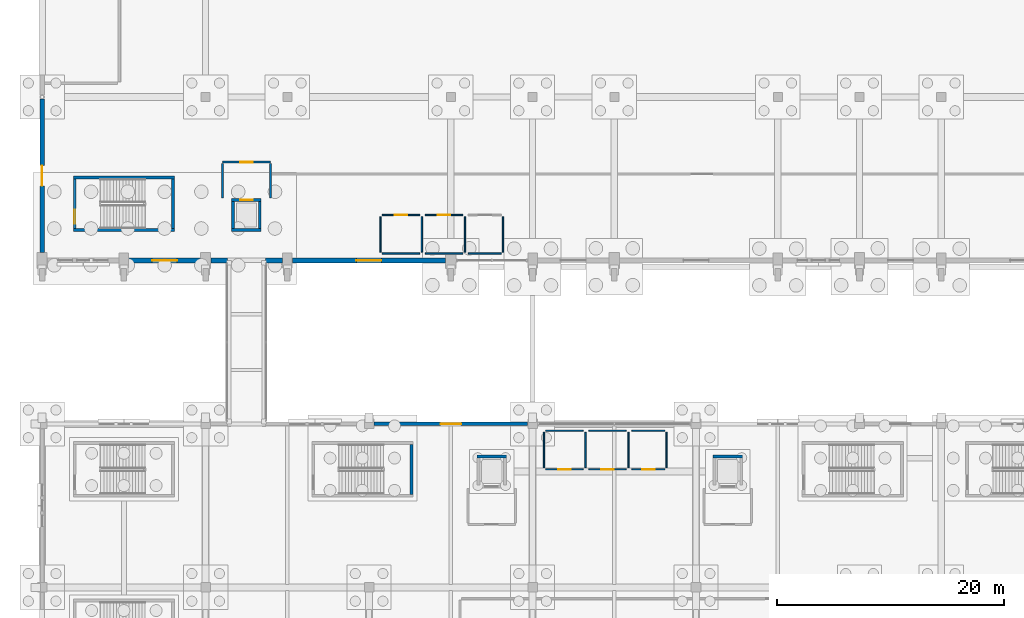
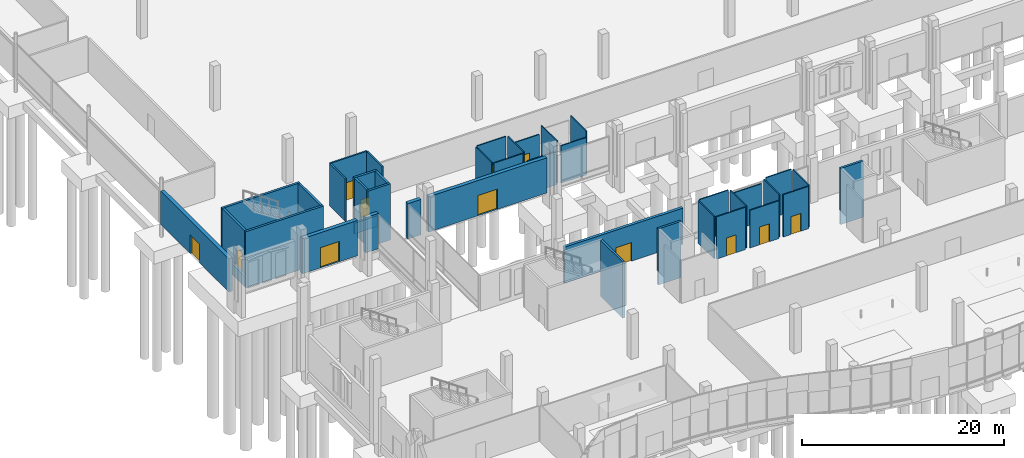
# One storey, part 132 of 192: 41 walls, 12 doors, 12 openings.
"""IFC4 building model written with IfcOpenShell, lengths in metres."""

from ifc_helpers import new_model, si_unit, direction, frame, frame_2d, origin, place, context, subcontext, project, spatial, rectangle, extrude, material, layer, layer_set, type_object, element, fill, save


model = new_model("IFC4")

# Units and contexts
model_context = context("Model", 3, precision=1e-05, world=origin(), true_north=direction((0.0, 1.0)))
body_context = subcontext(model_context, "Body", "Model", "MODEL_VIEW")
ifc_project = project(units=[si_unit("LENGTHUNIT", "METRE"), si_unit("AREAUNIT", "SQUARE_METRE"), si_unit("VOLUMEUNIT", "CUBIC_METRE"), si_unit("PLANEANGLEUNIT", "RADIAN"), si_unit("MASSUNIT", "GRAM", prefix="KILO")], contexts=[model_context])

# Site, building, storey
site_placement = place(None, origin())
site = spatial("IfcSite", under=ifc_project, at=site_placement, CompositionType="ELEMENT")
building_placement = place(site_placement, origin())
building = spatial("IfcBuilding", under=site, at=building_placement, Name="Cendralis Lancet Convention Centre", CompositionType="ELEMENT")
storey_placement = place(building_placement, origin())
storey = spatial("IfcBuildingStorey", under=building, at=storey_placement, Name="L00", CompositionType="ELEMENT", Elevation=0.0)

# Wall, opening, door
ifc_material_1 = material(Name="Buff sandstone ashlar and Concrete G40 (C40/50)", Category="masonry")
ifc_layer_1 = layer(ifc_material_1, 0.320068359375, Name="Buff sandstone ashlar and Concrete G40 (C40/50)")
ifc_layer_set_1 = layer_set([ifc_layer_1], Name="Buff sandstone ashlar and Concrete G40 (C40/50)")
wall_type_1 = type_object("IfcWallType", Name="ARC-EW-W320", PredefinedType="STANDARD", material=ifc_layer_set_1)
wall_1_placement = place(storey_placement, frame((29.23291015625, 36.0, 0.0), z_axis=(0.0, 0.0, 1.0), x_axis=(1.0, 0.0, 0.0)))
wall_1 = element("IfcWall", 1, at=wall_1_placement, inside=storey, type_object=wall_type_1, Name="L00 V4 Exterior Wall EW-06 #0180", PredefinedType="STANDARD", context=body_context, shape_type="SweptSolid", body=[
    extrude(rectangle(XDim=13.5341796875, YDim=0.320068359375, at=frame_2d((6.76708984375, 0.0))), origin(), (0.0, 0.0, 1.0), 4.35498046875),
])
opening_1_placement = place(wall_1_placement, frame((5.866943359375, 0.0, 0.0)))
opening_1 = element("IfcOpeningElement", 2, at=opening_1_placement, cuts=wall_1, Name="Opening EX-D1", PredefinedType="OPENING", context=body_context, shape_type="SweptSolid", body=[
    extrude(rectangle(XDim=1.800048828125, YDim=2.25, at=frame_2d((0.89990234375, 1.125))), frame((0.0, 0.169921875, 0.0), z_axis=(0.0, -1.0, 0.0), x_axis=(1.0, 0.0, 0.0)), (0.0, 0.0, 1.0), 0.340087890625),
])
ifc_material_2 = material(Name="Anodised bronze architectural aluminium", Category="aluminium")
door_type_1 = type_object("IfcDoorType", Name="ARC-DR-EX18", OperationType="NOTDEFINED", PredefinedType="DOOR", material=ifc_material_2)
door_1_placement = place(opening_1_placement, origin())
door_1 = element("IfcDoor", 3, at=door_1_placement, inside=storey, type_object=door_type_1, Name="L00-D043 Pedestrian Final Exit Door EX-45 #045", OperationType="DOUBLE_DOOR_SINGLE_SWING", OverallHeight=2.25, OverallWidth=1.800048828125, PredefinedType="DOOR", context=body_context, shape_type="SweptSolid", body=[
    extrude(rectangle(XDim=1.800048828125, YDim=2.25, at=frame_2d((0.89990234375, 1.125))), frame((0.0, 0.02490234375, 0.0), z_axis=(0.0, -1.0, 0.0), x_axis=(1.0, 0.0, 0.0)), (0.0, 0.0, 1.0), 0.050048828125),
])
fill(opening_1, door_1)

ifc_layer_2 = layer(ifc_material_1, 0.419921875, Name="Buff sandstone ashlar and Concrete G40 (C40/50)")
ifc_layer_set_2 = layer_set([ifc_layer_2], Name="Buff sandstone ashlar and Concrete G40 (C40/50)")
wall_type_2 = type_object("IfcWallType", Name="ARC-EW-W420", PredefinedType="STANDARD", material=ifc_layer_set_2)
wall_2_placement = place(storey_placement, frame((13.94189453125, 50.39990234375, 0.0), z_axis=(0.0, 0.0, 1.0), x_axis=(-1.0, 0.0, 0.0)))
wall_2 = element("IfcWall", 4, at=wall_2_placement, inside=storey, type_object=wall_type_2, Name="L00 V1 Exterior Wall EW-01 #0016", PredefinedType="STANDARD", context=body_context, shape_type="SweptSolid", body=[
    extrude(rectangle(XDim=6.308837890625, YDim=0.419921875, at=frame_2d((3.154296875, 0.0))), origin(), (0.0, 0.0, 1.0), 4.2548828125),
])
opening_2_placement = place(wall_2_placement, frame((2.054443359375, 0.0, 0.0)))
opening_2 = element("IfcOpeningElement", 5, at=opening_2_placement, cuts=wall_2, Name="Opening EX-D4", PredefinedType="OPENING", context=body_context, shape_type="SweptSolid", body=[
    extrude(rectangle(XDim=2.199951171875, YDim=2.449951171875, at=frame_2d((1.10009765625, 1.22509765625))), frame((0.0, 0.219970703125, 0.0), z_axis=(0.0, -1.0, 0.0), x_axis=(1.0, 0.0, 0.0)), (0.0, 0.0, 1.0), 0.43994140625),
])
door_type_2 = type_object("IfcDoorType", Name="ARC-DR-EX22", OperationType="NOTDEFINED", PredefinedType="DOOR", material=ifc_material_2)
door_2_placement = place(opening_2_placement, origin())
door_2 = element("IfcDoor", 6, at=door_2_placement, inside=storey, type_object=door_type_2, Name="L00-D014 Pedestrian Final Exit Door EX-14 #014", OperationType="DOUBLE_DOOR_SINGLE_SWING", OverallHeight=2.449951171875, OverallWidth=2.199951171875, PredefinedType="DOOR", context=body_context, shape_type="SweptSolid", body=[
    extrude(rectangle(XDim=2.199951171875, YDim=2.449951171875, at=frame_2d((1.10009765625, 1.22509765625))), frame((0.0, 0.02490234375, 0.0), z_axis=(0.0, -1.0, 0.0), x_axis=(1.0, 0.0, 0.0)), (0.0, 0.0, 1.0), 0.050048828125),
])
fill(opening_2, door_2)

# Walls
wall_3_placement = place(storey_placement, frame((21.1669921875, 50.39990234375, 0.0), z_axis=(0.0, 0.0, 1.0), x_axis=(-1.0, 0.0, 0.0)))
element("IfcWall", 7, at=wall_3_placement, inside=storey, type_object=wall_type_2, Name="L00 V1 Exterior Wall EW-01 #0017", PredefinedType="STANDARD", context=body_context, shape_type="SweptSolid", body=[
    extrude(rectangle(XDim=1.487060546875, YDim=0.419921875, at=frame_2d((0.74365234375, 0.0))), origin(), (0.0, 0.0, 1.0), 4.2548828125),
])
wall_4_placement = place(storey_placement, frame((16.320068359375, 50.39990234375, 0.0), z_axis=(0.0, 0.0, 1.0), x_axis=(-1.0, 0.0, 0.0)))
element("IfcWall", 8, at=wall_4_placement, inside=storey, type_object=wall_type_2, Name="L00 V1 Exterior Wall EW-01 #0018", PredefinedType="STANDARD", context=body_context, shape_type="SweptSolid", body=[
    extrude(rectangle(XDim=1.462158203125, YDim=0.419921875, at=frame_2d((0.73095703125, 0.0))), origin(), (0.0, 0.0, 1.0), 4.2548828125),
])

# Wall, opening, door
wall_5_placement = place(storey_placement, frame((35.5419921875, 50.39990234375, 0.0), z_axis=(0.0, 0.0, 1.0), x_axis=(-1.0, 0.0, 0.0)))
wall_5 = element("IfcWall", 9, at=wall_5_placement, inside=storey, type_object=wall_type_2, Name="L00 V1 Exterior Wall EW-01 #0019", PredefinedType="STANDARD", context=body_context, shape_type="SweptSolid", body=[
    extrude(rectangle(XDim=13.509033203125, YDim=0.419921875, at=frame_2d((6.75439453125, 0.0))), origin(), (0.0, 0.0, 1.0), 4.2548828125),
])
opening_3_placement = place(wall_5_placement, frame((5.654541015625, 0.0, 0.0)))
opening_3 = element("IfcOpeningElement", 10, at=opening_3_placement, cuts=wall_5, Name="Opening EX-D4", PredefinedType="OPENING", context=body_context, shape_type="SweptSolid", body=[
    extrude(rectangle(XDim=2.199951171875, YDim=2.449951171875, at=frame_2d((1.10009765625, 1.22509765625))), frame((0.0, 0.219970703125, 0.0), z_axis=(0.0, -1.0, 0.0), x_axis=(1.0, 0.0, 0.0)), (0.0, 0.0, 1.0), 0.43994140625),
])
door_3_placement = place(opening_3_placement, origin())
door_3 = element("IfcDoor", 11, at=door_3_placement, inside=storey, type_object=door_type_2, Name="L00-D015 Pedestrian Final Exit Door EX-15 #015", OperationType="DOUBLE_DOOR_SINGLE_SWING", OverallHeight=2.449951171875, OverallWidth=2.199951171875, PredefinedType="DOOR", context=body_context, shape_type="SweptSolid", body=[
    extrude(rectangle(XDim=2.199951171875, YDim=2.449951171875, at=frame_2d((1.10009765625, 1.22509765625))), frame((0.0, 0.02490234375, 0.0), z_axis=(0.0, -1.0, 0.0), x_axis=(1.0, 0.0, 0.0)), (0.0, 0.0, 1.0), 0.050048828125),
])
fill(opening_3, door_3)

wall_6_placement = place(storey_placement, frame((0.0, 51.10791015625, 0.0), z_axis=(0.0, 0.0, 1.0), x_axis=(0.0, 1.0, 0.0)))
wall_6 = element("IfcWall", 12, at=wall_6_placement, inside=storey, type_object=wall_type_2, Name="L00 V1 Exterior Wall EW-01 #0028", PredefinedType="STANDARD", context=body_context, shape_type="SweptSolid", body=[
    extrude(rectangle(XDim=13.50634765625, YDim=0.419921875, at=frame_2d((6.753173828125, 0.0))), origin(), (0.0, 0.0, 1.0), 4.0048828125),
])
opening_4_placement = place(wall_6_placement, frame((5.85302734375, 0.0, 0.0)))
opening_4 = element("IfcOpeningElement", 13, at=opening_4_placement, cuts=wall_6, Name="Opening EX-D1", PredefinedType="OPENING", context=body_context, shape_type="SweptSolid", body=[
    extrude(rectangle(XDim=1.800048828125, YDim=2.25, at=frame_2d((0.89990234375, 1.125))), frame((0.0, 0.219970703125, 0.0), z_axis=(0.0, -1.0, 0.0), x_axis=(1.0, 0.0, 0.0)), (0.0, 0.0, 1.0), 0.43994140625),
])
door_4_placement = place(opening_4_placement, origin())
door_4 = element("IfcDoor", 14, at=door_4_placement, inside=storey, type_object=door_type_1, Name="L00-D022 Pedestrian Final Exit Door EX-22 #022", OperationType="DOUBLE_DOOR_SINGLE_SWING", OverallHeight=2.25, OverallWidth=1.800048828125, PredefinedType="DOOR", context=body_context, shape_type="SweptSolid", body=[
    extrude(rectangle(XDim=1.800048828125, YDim=2.25, at=frame_2d((0.89990234375, 1.125))), frame((0.0, 0.02490234375, 0.0), z_axis=(0.0, -1.0, 0.0), x_axis=(1.0, 0.0, 0.0)), (0.0, 0.0, 1.0), 0.050048828125),
])
fill(opening_4, door_4)

ifc_material_3 = material(Name="Acoustic fire-rated gypsum board on steel studs", Category="steel")
ifc_layer_3 = layer(ifc_material_3, 0.1201171875, Name="Acoustic fire-rated gypsum board on steel studs")
ifc_layer_set_3 = layer_set([ifc_layer_3], Name="Acoustic fire-rated gypsum board on steel studs")
wall_type_3 = type_object("IfcWallType", Name="ARC-IW-P120", PredefinedType="PARTITIONING", material=ifc_layer_set_3)
wall_7_placement = place(storey_placement, frame((29.949951171875, 54.39990234375, 0.0), z_axis=(0.0, 0.0, 1.0), x_axis=(1.0, 0.0, 0.0)))
wall_7 = element("IfcWall", 15, at=wall_7_placement, inside=storey, type_object=wall_type_3, Name="L00 Interior Partition IW-05 #0016", PredefinedType="PARTITIONING", context=body_context, shape_type="SweptSolid", body=[
    extrude(rectangle(XDim=3.300048828125, YDim=0.1201171875, at=frame_2d((1.64990234375, 0.0))), origin(), (0.0, 0.0, 1.0), 5.10498046875),
])
opening_5_placement = place(wall_7_placement, frame((1.10009765625, 0.0, 0.0)))
opening_5 = element("IfcOpeningElement", 16, at=opening_5_placement, cuts=wall_7, Name="Opening FD-11", PredefinedType="OPENING", context=body_context, shape_type="SweptSolid", body=[
    extrude(rectangle(XDim=1.10009765625, YDim=2.14990234375, at=frame_2d((0.550048828125, 1.074951171875))), frame((0.0, 0.070068359375, 0.0), z_axis=(0.0, -1.0, 0.0), x_axis=(1.0, 0.0, 0.0)), (0.0, 0.0, 1.0), 0.14013671875),
])
ifc_material_4 = material(Name="Steel S355", Category="steel")
door_type_3 = type_object("IfcDoorType", Name="ARC-DR-FF11", OperationType="NOTDEFINED", PredefinedType="DOOR", material=ifc_material_4)
door_5_placement = place(opening_5_placement, frame((1.10009765625, 0.0, 0.0), z_axis=(0.0, 0.0, 1.0), x_axis=(-1.0, 0.0, 0.0)))
door_5 = element("IfcDoor", 17, at=door_5_placement, inside=storey, type_object=door_type_3, Name="L00-D055 L00 Interior Door FD-11 #0005", OperationType="SINGLE_SWING_LEFT", OverallHeight=2.14990234375, OverallWidth=1.10009765625, PredefinedType="DOOR", context=body_context, shape_type="SweptSolid", body=[
    extrude(rectangle(XDim=1.10009765625, YDim=2.14990234375, at=frame_2d((0.550048828125, 1.074951171875))), frame((0.0, 0.02490234375, 0.0), z_axis=(0.0, -1.0, 0.0), x_axis=(1.0, 0.0, 0.0)), (0.0, 0.0, 1.0), 0.050048828125),
])
fill(opening_5, door_5)

# Walls
wall_8_placement = place(storey_placement, frame((29.949951171875, 51.0, 0.0), z_axis=(0.0, 0.0, 1.0), x_axis=(1.0, 0.0, 0.0)))
element("IfcWall", 18, at=wall_8_placement, inside=storey, type_object=wall_type_3, Name="L00 Interior Partition IW-05 #0017", PredefinedType="PARTITIONING", context=body_context, shape_type="SweptSolid", body=[
    extrude(rectangle(XDim=3.300048828125, YDim=0.1201171875, at=frame_2d((1.64990234375, 0.0))), origin(), (0.0, 0.0, 1.0), 5.10498046875),
])
for number, where, z_axis, x_axis, name in (
    (19, (29.800048828125, 51.139892578125, 0.0), (0.0, 0.0, 1.0), (0.0, 1.0, 0.0), "L00 Interior Partition IW-05 #0018"),
    (20, (33.449951171875, 51.139892578125, 0.0), (0.0, 0.0, 1.0), (0.0, 1.0, 0.0), "L00 Interior Partition IW-05 #0019"),
):
    element("IfcWall", number, at=place(storey_placement, frame(where, z_axis=z_axis, x_axis=x_axis)), inside=storey, type_object=wall_type_3, Name=name, PredefinedType="PARTITIONING", context=body_context, shape_type="SweptSolid", body=[
        extrude(rectangle(XDim=3.1201171875, YDim=0.1201171875, at=frame_2d((1.56005859375, 0.0))), origin(), (0.0, 0.0, 1.0), 5.10498046875),
    ])

# Wall, opening, door
wall_9_placement = place(storey_placement, frame((33.75, 54.39990234375, 0.0), z_axis=(0.0, 0.0, 1.0), x_axis=(1.0, 0.0, 0.0)))
wall_9 = element("IfcWall", 21, at=wall_9_placement, inside=storey, type_object=wall_type_3, Name="L00 Interior Partition IW-05 #0020", PredefinedType="PARTITIONING", context=body_context, shape_type="SweptSolid", body=[
    extrude(rectangle(XDim=3.300048828125, YDim=0.1201171875, at=frame_2d((1.64990234375, 0.0))), origin(), (0.0, 0.0, 1.0), 4.0048828125),
])
opening_6_placement = place(wall_9_placement, frame((1.10009765625, 0.0, 0.0)))
opening_6 = element("IfcOpeningElement", 22, at=opening_6_placement, cuts=wall_9, Name="Opening FD-11", PredefinedType="OPENING", context=body_context, shape_type="SweptSolid", body=[
    extrude(rectangle(XDim=1.10009765625, YDim=2.14990234375, at=frame_2d((0.550048828125, 1.074951171875))), frame((0.0, 0.070068359375, 0.0), z_axis=(0.0, -1.0, 0.0), x_axis=(1.0, 0.0, 0.0)), (0.0, 0.0, 1.0), 0.14013671875),
])
door_6_placement = place(opening_6_placement, origin())
door_6 = element("IfcDoor", 23, at=door_6_placement, inside=storey, type_object=door_type_3, Name="L00-D056 L00 Interior Door FD-11 #0006", OperationType="SINGLE_SWING_RIGHT", OverallHeight=2.14990234375, OverallWidth=1.10009765625, PredefinedType="DOOR", context=body_context, shape_type="SweptSolid", body=[
    extrude(rectangle(XDim=1.10009765625, YDim=2.14990234375, at=frame_2d((0.550048828125, 1.074951171875))), frame((0.0, 0.02490234375, 0.0), z_axis=(0.0, -1.0, 0.0), x_axis=(1.0, 0.0, 0.0)), (0.0, 0.0, 1.0), 0.050048828125),
])
fill(opening_6, door_6)

# Walls
wall_10_placement = place(storey_placement, frame((33.75, 51.0, 0.0), z_axis=(0.0, 0.0, 1.0), x_axis=(1.0, 0.0, 0.0)))
element("IfcWall", 24, at=wall_10_placement, inside=storey, type_object=wall_type_3, Name="L00 Interior Partition IW-05 #0021", PredefinedType="PARTITIONING", context=body_context, shape_type="SweptSolid", body=[
    extrude(rectangle(XDim=3.300048828125, YDim=0.1201171875, at=frame_2d((1.64990234375, 0.0))), origin(), (0.0, 0.0, 1.0), 4.0048828125),
])
wall_11_placement = place(storey_placement, frame((37.25, 51.139892578125, 0.0), z_axis=(0.0, 0.0, 1.0), x_axis=(0.0, 1.0, 0.0)))
element("IfcWall", 25, at=wall_11_placement, inside=storey, type_object=wall_type_3, Name="L00 Interior Partition IW-05 #0022", PredefinedType="PARTITIONING", context=body_context, shape_type="SweptSolid", body=[
    extrude(rectangle(XDim=3.1201171875, YDim=0.1201171875, at=frame_2d((1.56005859375, 0.0))), origin(), (0.0, 0.0, 1.0), 5.10498046875),
])
wall_12_placement = place(storey_placement, frame((37.550048828125, 51.0, 0.0), z_axis=(0.0, 0.0, 1.0), x_axis=(1.0, 0.0, 0.0)))
element("IfcWall", 26, at=wall_12_placement, inside=storey, type_object=wall_type_3, Name="L00 Interior Partition IW-05 #0024", PredefinedType="PARTITIONING", context=body_context, shape_type="SweptSolid", body=[
    extrude(rectangle(XDim=2.89990234375, YDim=0.1201171875, at=frame_2d((1.449951171875, 0.0))), origin(), (0.0, 0.0, 1.0), 4.5048828125),
])
wall_13_placement = place(storey_placement, frame((40.60009765625, 51.139892578125, 0.0), z_axis=(0.0, 0.0, 1.0), x_axis=(0.0, 1.0, 0.0)))
element("IfcWall", 27, at=wall_13_placement, inside=storey, type_object=wall_type_3, Name="L00 Interior Partition IW-05 #0025", PredefinedType="PARTITIONING", context=body_context, shape_type="SweptSolid", body=[
    extrude(rectangle(XDim=3.1201171875, YDim=0.1201171875, at=frame_2d((1.56005859375, 0.0))), origin(), (0.0, 0.0, 1.0), 5.10498046875),
])

# Wall, opening, door
wall_14_placement = place(storey_placement, frame((44.35009765625, 32.0, 0.0), z_axis=(0.0, 0.0, 1.0), x_axis=(1.0, 0.0, 0.0)))
wall_14 = element("IfcWall", 28, at=wall_14_placement, inside=storey, type_object=wall_type_3, Name="L00 Interior Partition IW-05 #0217", PredefinedType="PARTITIONING", context=body_context, shape_type="SweptSolid", body=[
    extrude(rectangle(XDim=3.2998046875, YDim=0.1201171875, at=frame_2d((1.64990234375, 0.0))), origin(), (0.0, 0.0, 1.0), 5.10498046875),
])
opening_7_placement = place(wall_14_placement, frame((1.10009765625, 0.0, 0.0)))
opening_7 = element("IfcOpeningElement", 29, at=opening_7_placement, cuts=wall_14, Name="Opening FD-11", PredefinedType="OPENING", context=body_context, shape_type="SweptSolid", body=[
    extrude(rectangle(XDim=1.10009765625, YDim=2.14990234375, at=frame_2d((0.550048828125, 1.074951171875))), frame((0.0, 0.070068359375, 0.0), z_axis=(0.0, -1.0, 0.0), x_axis=(1.0, 0.0, 0.0)), (0.0, 0.0, 1.0), 0.14013671875),
])
door_7_placement = place(opening_7_placement, origin())
door_7 = element("IfcDoor", 30, at=door_7_placement, inside=storey, type_object=door_type_3, Name="L00-D079 L00 Interior Door FD-11 #0072", OperationType="SINGLE_SWING_LEFT", OverallHeight=2.14990234375, OverallWidth=1.10009765625, PredefinedType="DOOR", context=body_context, shape_type="SweptSolid", body=[
    extrude(rectangle(XDim=1.10009765625, YDim=2.14990234375, at=frame_2d((0.550048828125, 1.074951171875))), frame((0.0, 0.02490234375, 0.0), z_axis=(0.0, -1.0, 0.0), x_axis=(1.0, 0.0, 0.0)), (0.0, 0.0, 1.0), 0.050048828125),
])
fill(opening_7, door_7)

# Walls
wall_15_placement = place(storey_placement, frame((44.35009765625, 35.39990234375, 0.0), z_axis=(0.0, 0.0, 1.0), x_axis=(1.0, 0.0, 0.0)))
element("IfcWall", 31, at=wall_15_placement, inside=storey, type_object=wall_type_3, Name="L00 Interior Partition IW-05 #0218", PredefinedType="PARTITIONING", context=body_context, shape_type="SweptSolid", body=[
    extrude(rectangle(XDim=3.2998046875, YDim=0.1201171875, at=frame_2d((1.64990234375, 0.0))), origin(), (0.0, 0.0, 1.0), 5.10498046875),
])
for number, where, z_axis, x_axis, name in (
    (32, (44.199951171875, 32.139892578125, 0.0), (0.0, 0.0, 1.0), (0.0, 1.0, 0.0), "L00 Interior Partition IW-05 #0219"),
    (33, (47.85009765625, 32.139892578125, 0.0), (0.0, 0.0, 1.0), (0.0, 1.0, 0.0), "L00 Interior Partition IW-05 #0220"),
):
    element("IfcWall", number, at=place(storey_placement, frame(where, z_axis=z_axis, x_axis=x_axis)), inside=storey, type_object=wall_type_3, Name=name, PredefinedType="PARTITIONING", context=body_context, shape_type="SweptSolid", body=[
        extrude(rectangle(XDim=3.1201171875, YDim=0.1201171875, at=frame_2d((1.56005859375, 0.0))), origin(), (0.0, 0.0, 1.0), 5.10498046875),
    ])

# Wall, opening, door
wall_16_placement = place(storey_placement, frame((48.14990234375, 32.0, 0.0), z_axis=(0.0, 0.0, 1.0), x_axis=(1.0, 0.0, 0.0)))
wall_16 = element("IfcWall", 34, at=wall_16_placement, inside=storey, type_object=wall_type_3, Name="L00 Interior Partition IW-05 #0221", PredefinedType="PARTITIONING", context=body_context, shape_type="SweptSolid", body=[
    extrude(rectangle(XDim=3.300048828125, YDim=0.1201171875, at=frame_2d((1.64990234375, 0.0))), origin(), (0.0, 0.0, 1.0), 4.554931640625),
])
opening_8_placement = place(wall_16_placement, frame((1.10009765625, 0.0, 0.0)))
opening_8 = element("IfcOpeningElement", 35, at=opening_8_placement, cuts=wall_16, Name="Opening FD-11", PredefinedType="OPENING", context=body_context, shape_type="SweptSolid", body=[
    extrude(rectangle(XDim=1.10009765625, YDim=2.14990234375, at=frame_2d((0.550048828125, 1.074951171875))), frame((0.0, 0.070068359375, 0.0), z_axis=(0.0, -1.0, 0.0), x_axis=(1.0, 0.0, 0.0)), (0.0, 0.0, 1.0), 0.14013671875),
])
door_8_placement = place(opening_8_placement, frame((1.10009765625, 0.0, 0.0), z_axis=(0.0, 0.0, 1.0), x_axis=(-1.0, 0.0, 0.0)))
door_8 = element("IfcDoor", 36, at=door_8_placement, inside=storey, type_object=door_type_3, Name="L00-D080 L00 Interior Door FD-11 #0073", OperationType="SINGLE_SWING_RIGHT", OverallHeight=2.14990234375, OverallWidth=1.10009765625, PredefinedType="DOOR", context=body_context, shape_type="SweptSolid", body=[
    extrude(rectangle(XDim=1.10009765625, YDim=2.14990234375, at=frame_2d((0.550048828125, 1.074951171875))), frame((0.0, 0.02490234375, 0.0), z_axis=(0.0, -1.0, 0.0), x_axis=(1.0, 0.0, 0.0)), (0.0, 0.0, 1.0), 0.050048828125),
])
fill(opening_8, door_8)

# Walls
wall_17_placement = place(storey_placement, frame((48.14990234375, 35.39990234375, 0.0), z_axis=(0.0, 0.0, 1.0), x_axis=(1.0, 0.0, 0.0)))
element("IfcWall", 37, at=wall_17_placement, inside=storey, type_object=wall_type_3, Name="L00 Interior Partition IW-05 #0222", PredefinedType="PARTITIONING", context=body_context, shape_type="SweptSolid", body=[
    extrude(rectangle(XDim=3.300048828125, YDim=0.1201171875, at=frame_2d((1.64990234375, 0.0))), origin(), (0.0, 0.0, 1.0), 4.554931640625),
])
wall_18_placement = place(storey_placement, frame((51.64990234375, 32.139892578125, 0.0), z_axis=(0.0, 0.0, 1.0), x_axis=(0.0, 1.0, 0.0)))
element("IfcWall", 38, at=wall_18_placement, inside=storey, type_object=wall_type_3, Name="L00 Interior Partition IW-05 #0223", PredefinedType="PARTITIONING", context=body_context, shape_type="SweptSolid", body=[
    extrude(rectangle(XDim=3.1201171875, YDim=0.1201171875, at=frame_2d((1.56005859375, 0.0))), origin(), (0.0, 0.0, 1.0), 5.10498046875),
])

# Wall, opening, door
wall_19_placement = place(storey_placement, frame((51.949951171875, 32.0, 0.0), z_axis=(0.0, 0.0, 1.0), x_axis=(1.0, 0.0, 0.0)))
wall_19 = element("IfcWall", 39, at=wall_19_placement, inside=storey, type_object=wall_type_3, Name="L00 Interior Partition IW-05 #0224", PredefinedType="PARTITIONING", context=body_context, shape_type="SweptSolid", body=[
    extrude(rectangle(XDim=2.900146484375, YDim=0.1201171875, at=frame_2d((1.4501953125, 0.0))), origin(), (0.0, 0.0, 1.0), 5.10498046875),
])
opening_9_placement = place(wall_19_placement, frame((0.89990234375, 0.0, 0.0)))
opening_9 = element("IfcOpeningElement", 40, at=opening_9_placement, cuts=wall_19, Name="Opening FD-11", PredefinedType="OPENING", context=body_context, shape_type="SweptSolid", body=[
    extrude(rectangle(XDim=1.10009765625, YDim=2.14990234375, at=frame_2d((0.550048828125, 1.074951171875))), frame((0.0, 0.070068359375, 0.0), z_axis=(0.0, -1.0, 0.0), x_axis=(1.0, 0.0, 0.0)), (0.0, 0.0, 1.0), 0.14013671875),
])
door_9_placement = place(opening_9_placement, origin())
door_9 = element("IfcDoor", 41, at=door_9_placement, inside=storey, type_object=door_type_3, Name="L00-D081 L00 Interior Door FD-11 #0074", OperationType="SINGLE_SWING_LEFT", OverallHeight=2.14990234375, OverallWidth=1.10009765625, PredefinedType="DOOR", context=body_context, shape_type="SweptSolid", body=[
    extrude(rectangle(XDim=1.10009765625, YDim=2.14990234375, at=frame_2d((0.550048828125, 1.074951171875))), frame((0.0, 0.02490234375, 0.0), z_axis=(0.0, -1.0, 0.0), x_axis=(1.0, 0.0, 0.0)), (0.0, 0.0, 1.0), 0.050048828125),
])
fill(opening_9, door_9)

# Walls
wall_20_placement = place(storey_placement, frame((51.949951171875, 35.39990234375, 0.0), z_axis=(0.0, 0.0, 1.0), x_axis=(1.0, 0.0, 0.0)))
element("IfcWall", 42, at=wall_20_placement, inside=storey, type_object=wall_type_3, Name="L00 Interior Partition IW-05 #0225", PredefinedType="PARTITIONING", context=body_context, shape_type="SweptSolid", body=[
    extrude(rectangle(XDim=2.900146484375, YDim=0.1201171875, at=frame_2d((1.4501953125, 0.0))), origin(), (0.0, 0.0, 1.0), 5.10498046875),
])
wall_21_placement = place(storey_placement, frame((55.0, 32.139892578125, 0.0), z_axis=(0.0, 0.0, 1.0), x_axis=(0.0, 1.0, 0.0)))
element("IfcWall", 43, at=wall_21_placement, inside=storey, type_object=wall_type_3, Name="L00 Interior Partition IW-05 #0226", PredefinedType="PARTITIONING", context=body_context, shape_type="SweptSolid", body=[
    extrude(rectangle(XDim=3.1201171875, YDim=0.1201171875, at=frame_2d((1.56005859375, 0.0))), origin(), (0.0, 0.0, 1.0), 5.10498046875),
])

# Wall, opening, door
ifc_layer_4 = layer(ifc_material_3, 0.179931640625, Name="Acoustic fire-rated gypsum board on steel studs")
ifc_layer_set_4 = layer_set([ifc_layer_4], Name="Acoustic fire-rated gypsum board on steel studs")
wall_type_4 = type_object("IfcWallType", Name="ARC-IW-P180", PredefinedType="PARTITIONING", material=ifc_layer_set_4)
wall_22_placement = place(storey_placement, frame((15.89990234375, 59.050048828125, 0.0), z_axis=(0.0, 0.0, 1.0), x_axis=(1.0, 0.0, 0.0)))
wall_22 = element("IfcWall", 44, at=wall_22_placement, inside=storey, type_object=wall_type_4, Name="L00 Lift Lobby LP-08 Front Wall", PredefinedType="PARTITIONING", context=body_context, shape_type="SweptSolid", body=[
    extrude(rectangle(XDim=4.2001953125, YDim=0.179931640625, at=frame_2d((2.10009765625, 0.0))), origin(), (0.0, 0.0, 1.0), 5.1201171875),
])
opening_10_placement = place(wall_22_placement, frame((1.550048828125, 0.0, 0.0)))
opening_10 = element("IfcOpeningElement", 45, at=opening_10_placement, cuts=wall_22, Name="Opening FD-11", PredefinedType="OPENING", context=body_context, shape_type="SweptSolid", body=[
    extrude(rectangle(XDim=1.10009765625, YDim=2.14990234375, at=frame_2d((0.550048828125, 1.074951171875))), frame((0.0, 0.099853515625, 0.0), z_axis=(0.0, -1.0, 0.0), x_axis=(1.0, 0.0, 0.0)), (0.0, 0.0, 1.0), 0.199951171875),
])
door_10_placement = place(opening_10_placement, origin())
door_10 = element("IfcDoor", 46, at=door_10_placement, inside=storey, type_object=door_type_3, Name="L00-D117 L00 Lift Lobby LP-08 Fire Door", OperationType="SINGLE_SWING_RIGHT", OverallHeight=2.14990234375, OverallWidth=1.10009765625, PredefinedType="DOOR", context=body_context, shape_type="SweptSolid", body=[
    extrude(rectangle(XDim=1.10009765625, YDim=2.14990234375, at=frame_2d((0.550048828125, 1.074951171875))), frame((0.0, 0.02490234375, 0.0), z_axis=(0.0, -1.0, 0.0), x_axis=(1.0, 0.0, 0.0)), (0.0, 0.0, 1.0), 0.050048828125),
])
fill(opening_10, door_10)

# Walls
for number, where, z_axis, x_axis, name in (
    (47, (15.89990234375, 55.89990234375, 0.0), (0.0, 0.0, 1.0), (0.0, 1.0, 0.0), "L00 Lift Lobby LP-08 West Wall"),
    (48, (20.10009765625, 55.89990234375, 0.0), (0.0, 0.0, 1.0), (0.0, 1.0, 0.0), "L00 Lift Lobby LP-08 East Wall"),
):
    element("IfcWall", number, at=place(storey_placement, frame(where, z_axis=z_axis, x_axis=x_axis)), inside=storey, type_object=wall_type_4, Name=name, PredefinedType="PARTITIONING", context=body_context, shape_type="SweptSolid", body=[
        extrude(rectangle(XDim=3.050048828125, YDim=0.179931640625, at=frame_2d((1.52490234375, 0.0))), origin(), (0.0, 0.0, 1.0), 5.1201171875),
    ])
ifc_material_5 = material(Name="Concrete G40 (C40/50)", Category="concrete")
ifc_layer_5 = layer(ifc_material_5, 0.25, Name="Concrete G40 (C40/50)")
ifc_layer_set_5 = layer_set([ifc_layer_5], Name="Concrete G40 (C40/50)")
wall_type_5 = type_object("IfcWallType", Name="STR-SW-CW250", PredefinedType="SHEAR", material=ifc_layer_set_5)
wall_23_placement = place(storey_placement, frame((2.875, 53.199951171875, -1.64990234375), z_axis=(0.0, 0.0, 1.0), x_axis=(0.0, 1.0, 0.0)))
element("IfcWall", 49, at=wall_23_placement, inside=storey, type_object=wall_type_5, Name="L00 Stair Core ST-01 West Base Stem", PredefinedType="SHEAR", context=body_context, shape_type="SweptSolid", body=[
    extrude(rectangle(XDim=4.380126953125, YDim=0.25, at=frame_2d((2.18994140625, 0.0))), origin(), (0.0, 0.0, 1.0), 1.309814453125),
])

# Wall, opening, door
wall_24_placement = place(storey_placement, frame((2.875, 53.199951171875, 0.0), z_axis=(0.0, 0.0, 1.0), x_axis=(0.0, 1.0, 0.0)))
wall_24 = element("IfcWall", 50, at=wall_24_placement, inside=storey, type_object=wall_type_5, Name="L00 Stair Core ST-01 West Shear Wall", PredefinedType="SHEAR", context=body_context, shape_type="SweptSolid", body=[
    extrude(rectangle(XDim=4.380126953125, YDim=0.25, at=frame_2d((2.18994140625, 0.0))), origin(), (0.0, 0.0, 1.0), 5.1201171875),
])
opening_11_placement = place(wall_24_placement, frame((0.449951171875, 0.0, 0.0)))
opening_11 = element("IfcOpeningElement", 51, at=opening_11_placement, cuts=wall_24, Name="Opening SD-12", PredefinedType="OPENING", context=body_context, shape_type="SweptSolid", body=[
    extrude(rectangle(XDim=1.199951171875, YDim=2.14990234375, at=frame_2d((0.60009765625, 1.074951171875))), frame((0.0, 0.135009765625, 0.0), z_axis=(0.0, -1.0, 0.0), x_axis=(1.0, 0.0, 0.0)), (0.0, 0.0, 1.0), 0.27001953125),
])
door_type_4 = type_object("IfcDoorType", Name="ARC-DR-ST12", OperationType="NOTDEFINED", PredefinedType="DOOR", material=ifc_material_4)
door_11_placement = place(opening_11_placement, origin())
door_11 = element("IfcDoor", 52, at=door_11_placement, inside=storey, type_object=door_type_4, Name="L00-D118 L00 Exit Stair ST-01 Fire Door", OperationType="SINGLE_SWING_RIGHT", OverallHeight=2.14990234375, OverallWidth=1.199951171875, PredefinedType="DOOR", context=body_context, shape_type="SweptSolid", body=[
    extrude(rectangle(XDim=1.199951171875, YDim=2.14990234375, at=frame_2d((0.60009765625, 1.074951171875))), frame((0.0, 0.02490234375, 0.0), z_axis=(0.0, -1.0, 0.0), x_axis=(1.0, 0.0, 0.0)), (0.0, 0.0, 1.0), 0.050048828125),
])
fill(opening_11, door_11)

# Walls
wall_25_placement = place(storey_placement, frame((11.52490234375, 53.199951171875, -1.64990234375), z_axis=(0.0, 0.0, 1.0), x_axis=(0.0, 1.0, 0.0)))
element("IfcWall", 53, at=wall_25_placement, inside=storey, type_object=wall_type_5, Name="L00 Stair Core ST-01 East Shear Wall", PredefinedType="SHEAR", context=body_context, shape_type="SweptSolid", body=[
    extrude(rectangle(XDim=4.380126953125, YDim=0.25, at=frame_2d((2.18994140625, 0.0))), origin(), (0.0, 0.0, 1.0), 6.77001953125),
])
for number, where, z_axis, x_axis, name in (
    (54, (2.75, 53.074951171875, -1.64990234375), (0.0, 0.0, 1.0), (1.0, 0.0, 0.0), "L00 Stair Core ST-01 South Shear Wall"),
    (55, (2.75, 57.705078125, -1.64990234375), (0.0, 0.0, 1.0), (1.0, 0.0, 0.0), "L00 Stair Core ST-01 North Shear Wall"),
):
    element("IfcWall", number, at=place(storey_placement, frame(where, z_axis=z_axis, x_axis=x_axis)), inside=storey, type_object=wall_type_5, Name=name, PredefinedType="SHEAR", context=body_context, shape_type="SweptSolid", body=[
        extrude(rectangle(XDim=8.89990234375, YDim=0.25, at=frame_2d((4.449951171875, 0.0))), origin(), (0.0, 0.0, 1.0), 6.77001953125),
    ])
wall_26_placement = place(storey_placement, frame((32.52490234375, 29.800048828125, -1.64990234375), z_axis=(0.0, 0.0, 1.0), x_axis=(0.0, 1.0, 0.0)))
element("IfcWall", 56, at=wall_26_placement, inside=storey, type_object=wall_type_5, Name="L00 Stair Core ST-11 East Shear Wall", PredefinedType="SHEAR", context=body_context, shape_type="SweptSolid", body=[
    extrude(rectangle(XDim=4.3798828125, YDim=0.25, at=frame_2d((2.18994140625, 0.0))), origin(), (0.0, 0.0, 1.0), 6.77001953125),
])
for number, where, z_axis, x_axis, name in (
    (57, (38.300048828125, 33.125, -1.64990234375), (0.0, 0.0, 1.0), (1.0, 0.0, 0.0), "L00 Lift LP-03 North Shaft Wall"),
    (58, (59.10009765625, 33.125, -1.64990234375), (0.0, 0.0, 1.0), (1.0, 0.0, 0.0), "L00 Lift LP-04 North Shaft Wall"),
):
    element("IfcWall", number, at=place(storey_placement, frame(where, z_axis=z_axis, x_axis=x_axis)), inside=storey, type_object=wall_type_5, Name=name, PredefinedType="SHEAR", context=body_context, shape_type="SweptSolid", body=[
        extrude(rectangle(XDim=2.599853515625, YDim=0.25, at=frame_2d((1.2998046875, 0.0))), origin(), (0.0, 0.0, 1.0), 6.77001953125),
    ])
wall_27_placement = place(storey_placement, frame((16.699951171875, 55.72509765625, -1.64990234375), z_axis=(0.0, 0.0, 1.0), x_axis=(1.0, 0.0, 0.0)))
element("IfcWall", 59, at=wall_27_placement, inside=storey, type_object=wall_type_5, Name="L00 Lift LP-08 Base Stem", PredefinedType="SHEAR", context=body_context, shape_type="SweptSolid", body=[
    extrude(rectangle(XDim=2.60009765625, YDim=0.25, at=frame_2d((1.300048828125, 0.0))), origin(), (0.0, 0.0, 1.0), 1.309814453125),
])
wall_28_placement = place(storey_placement, frame((16.699951171875, 53.074951171875, -1.64990234375), z_axis=(0.0, 0.0, 1.0), x_axis=(1.0, 0.0, 0.0)))
element("IfcWall", 60, at=wall_28_placement, inside=storey, type_object=wall_type_5, Name="L00 Lift LP-08 South Shaft Wall", PredefinedType="SHEAR", context=body_context, shape_type="SweptSolid", body=[
    extrude(rectangle(XDim=2.60009765625, YDim=0.25, at=frame_2d((1.300048828125, 0.0))), origin(), (0.0, 0.0, 1.0), 6.77001953125),
])

# Wall, opening, door
wall_29_placement = place(storey_placement, frame((16.699951171875, 55.72509765625, 0.0), z_axis=(0.0, 0.0, 1.0), x_axis=(1.0, 0.0, 0.0)))
wall_29 = element("IfcWall", 61, at=wall_29_placement, inside=storey, type_object=wall_type_5, Name="L00 Lift LP-08 North Shaft Wall", PredefinedType="SHEAR", context=body_context, shape_type="SweptSolid", body=[
    extrude(rectangle(XDim=2.60009765625, YDim=0.25, at=frame_2d((1.300048828125, 0.0))), origin(), (0.0, 0.0, 1.0), 5.1201171875),
])
opening_12_placement = place(wall_29_placement, frame((0.75, 0.0, 0.0)))
opening_12 = element("IfcOpeningElement", 62, at=opening_12_placement, cuts=wall_29, Name="Opening LD-11", PredefinedType="OPENING", context=body_context, shape_type="SweptSolid", body=[
    extrude(rectangle(XDim=1.10009765625, YDim=2.14990234375, at=frame_2d((0.550048828125, 1.074951171875))), frame((0.0, 0.135009765625, 0.0), z_axis=(0.0, -1.0, 0.0), x_axis=(1.0, 0.0, 0.0)), (0.0, 0.0, 1.0), 0.27001953125),
])
door_type_5 = type_object("IfcDoorType", Name="ARC-DR-LD11", OperationType="NOTDEFINED", PredefinedType="DOOR", material=ifc_material_2)
door_12_placement = place(opening_12_placement, origin())
door_12 = element("IfcDoor", 63, at=door_12_placement, inside=storey, type_object=door_type_5, Name="L00-D103 L00 Lift LP-08 Sliding Landing Door", OperationType="SLIDING_TO_LEFT", OverallHeight=2.14990234375, OverallWidth=1.10009765625, PredefinedType="DOOR", context=body_context, shape_type="SweptSolid", body=[
    extrude(rectangle(XDim=1.10009765625, YDim=2.14990234375, at=frame_2d((0.550048828125, 1.074951171875))), frame((0.0, 0.02490234375, 0.0), z_axis=(0.0, -1.0, 0.0), x_axis=(1.0, 0.0, 0.0)), (0.0, 0.0, 1.0), 0.050048828125),
])
fill(opening_12, door_12)

# Walls
for number, where, z_axis, x_axis, name in (
    (64, (16.824951171875, 53.199951171875, -1.64990234375), (0.0, 0.0, 1.0), (0.0, 1.0, 0.0), "L00 Lift LP-08 West Shaft Wall"),
    (65, (19.175048828125, 53.199951171875, -1.64990234375), (0.0, 0.0, 1.0), (0.0, 1.0, 0.0), "L00 Lift LP-08 East Shaft Wall"),
):
    element("IfcWall", number, at=place(storey_placement, frame(where, z_axis=z_axis, x_axis=x_axis)), inside=storey, type_object=wall_type_5, Name=name, PredefinedType="SHEAR", context=body_context, shape_type="SweptSolid", body=[
        extrude(rectangle(XDim=2.400146484375, YDim=0.25, at=frame_2d((1.2001953125, 0.0))), origin(), (0.0, 0.0, 1.0), 6.77001953125),
    ])

save(model, "model.ifc")
